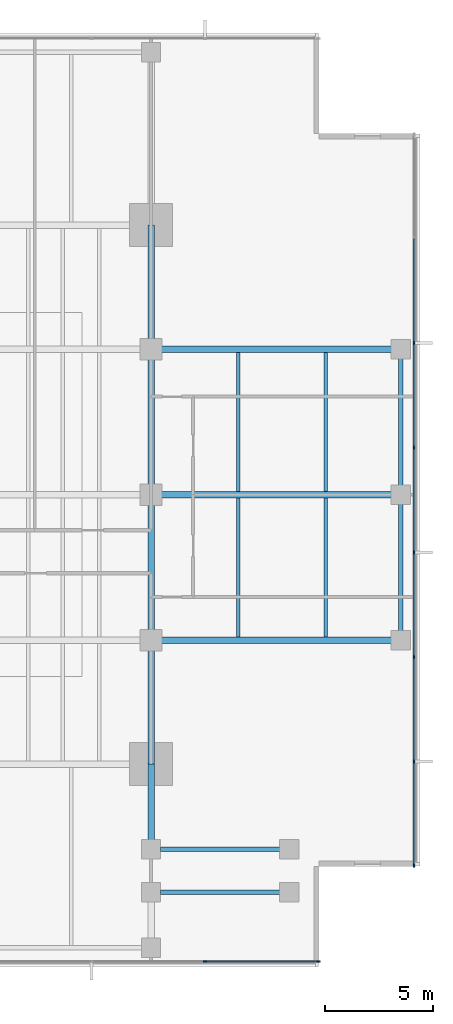
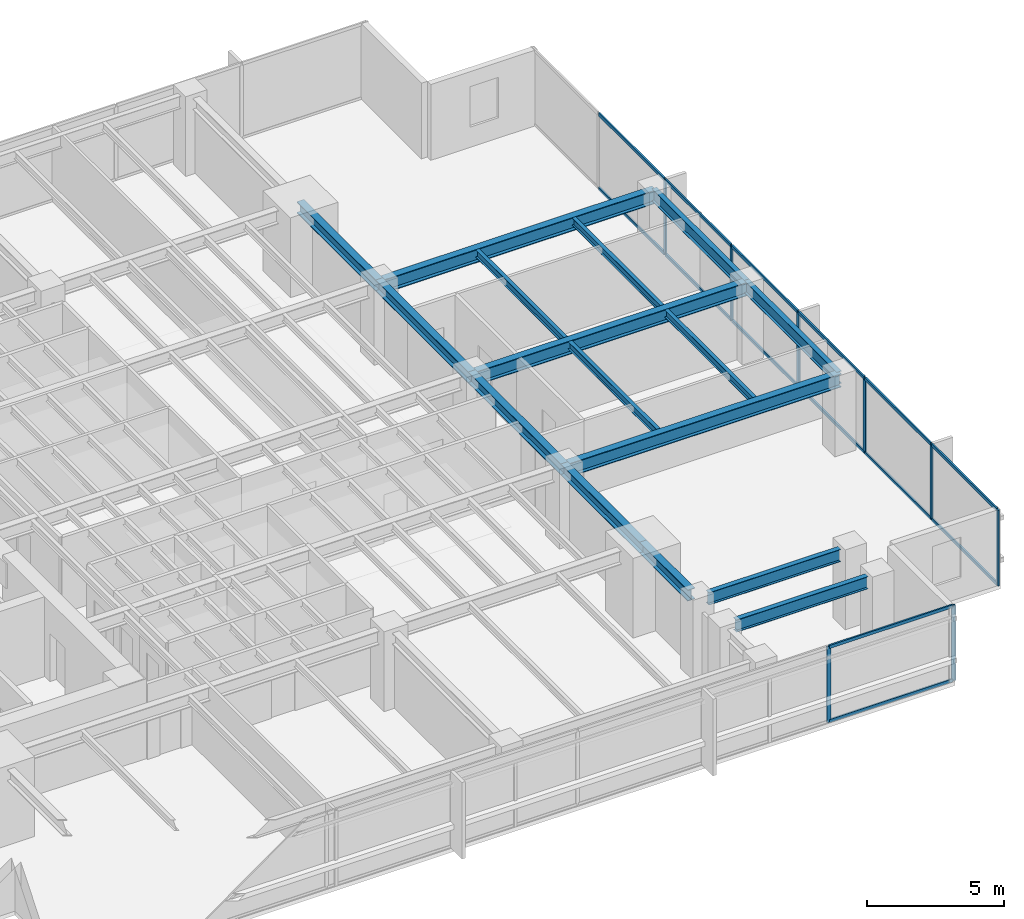
# One storey, part 4 of 14: 22 members, 16 beams, 2 elements without a shape of their own.
"""IFC4 building model written with IfcOpenShell, lengths in metres."""

from ifc_helpers import new_model, si_unit, direction, frame, origin, origin_2d, place, context, subcontext, project, spatial, rectangle, i_section, extrude, material, layer, layer_set, material_profile, profile_set, type_object, element, aggregate, save


model = new_model("IFC4")

# Units and contexts
model_context = context("Model", 3, precision=1e-05, world=origin(), true_north=direction((0.0, 1.0)))
body_context = subcontext(model_context, "Body", "Model", "MODEL_VIEW")
ifc_project = project(units=[si_unit("LENGTHUNIT", "METRE"), si_unit("AREAUNIT", "SQUARE_METRE"), si_unit("VOLUMEUNIT", "CUBIC_METRE"), si_unit("PLANEANGLEUNIT", "RADIAN"), si_unit("MASSUNIT", "GRAM", prefix="KILO")], contexts=[model_context])

# Site, building, storey
site_placement = place(None, origin())
site = spatial("IfcSite", under=ifc_project, at=site_placement, CompositionType="ELEMENT")
building_placement = place(site_placement, origin())
building = spatial("IfcBuilding", under=site, at=building_placement, Name="Kinhvarn Gate Tower", CompositionType="ELEMENT")
storey_placement = place(building_placement, frame((0.0, 0.0, 166.14990234375)))
storey = spatial("IfcBuildingStorey", under=building, at=storey_placement, Name="L44", CompositionType="ELEMENT", Elevation=166.14990234375)

# Curtain wall, members
ifc_material_1 = material(Name="Anodised aluminium AW-6063", Category="aluminium")
ifc_layer = layer(ifc_material_1, 0.179931640625)
ifc_layer_set = layer_set([ifc_layer], Name="Anodised aluminium AW-6063")
curtain_wall_type = type_object("IfcCurtainWallType", Name="CW-SYS-3", PredefinedType="NOTDEFINED", material=ifc_layer_set)
curtain_wall_1_placement = place(storey_placement, origin())
curtain_wall_1 = element("IfcCurtainWall", 1, at=curtain_wall_1_placement, inside=storey, type_object=curtain_wall_type, Name="Curtain Wall CW3 (L44)", PredefinedType="NOTDEFINED")
ifc_material_profile_1 = material_profile(ifc_material_1, rectangle(XDim=0.06494140625, YDim=0.159912109375, at=origin_2d()), Name="ALU 65x160")
ifc_profile_set_1 = profile_set([ifc_material_profile_1], Name="Anodised aluminium AW-6063")
member_type_1 = type_object("IfcMemberType", Name="CW-MUL-160", PredefinedType="MULLION", material=ifc_profile_set_1)
member_1_placement = place(storey_placement, frame((40.71435546875, 3.590087890625, 0.0), z_axis=(0.0, 0.0, 1.0), x_axis=(0.0, 1.0, 0.0)))
member_1 = element("IfcMember", 2, at=member_1_placement, type_object=member_type_1, Name="CW3 mullion 7", PredefinedType="MULLION", context=body_context, shape_type="SweptSolid", body=[
    extrude(rectangle(XDim=0.06494140625, YDim=0.159912109375, at=origin_2d()), origin(), (0.0, 0.0, 1.0), 3.3701171875),
])
member_2_placement = place(storey_placement, frame((45.967529296875, 3.590087890625, 0.0), z_axis=(0.0, 0.0, 1.0), x_axis=(0.0, 1.0, 0.0)))
member_2 = element("IfcMember", 3, at=member_2_placement, type_object=member_type_1, Name="CW3 mullion 8", PredefinedType="MULLION", context=body_context, shape_type="SweptSolid", body=[
    extrude(rectangle(XDim=0.06494140625, YDim=0.159912109375, at=origin_2d()), origin(), (0.0, 0.0, 1.0), 3.3701171875),
])

curtain_wall_2_placement = place(storey_placement, origin())
curtain_wall_2 = element("IfcCurtainWall", 4, at=curtain_wall_2_placement, inside=storey, type_object=curtain_wall_type, Name="Curtain Wall CW3 (L44)", PredefinedType="NOTDEFINED")
member_3_placement = place(storey_placement, frame((50.409912109375, 8.032470703125, 0.0), z_axis=(0.0, 0.0, 1.0), x_axis=(-1.0, 0.0, 0.0)))
member_3 = element("IfcMember", 5, at=member_3_placement, type_object=member_type_1, Name="CW3 mullion 1", PredefinedType="MULLION", context=body_context, shape_type="SweptSolid", body=[
    extrude(rectangle(XDim=0.06494140625, YDim=0.159912109375, at=origin_2d()), origin(), (0.0, 0.0, 1.0), 3.3701171875),
])
member_4_placement = place(storey_placement, frame((50.409912109375, 12.857177734375, 0.0), z_axis=(0.0, 0.0, 1.0), x_axis=(-1.0, 0.0, 0.0)))
member_4 = element("IfcMember", 6, at=member_4_placement, type_object=member_type_1, Name="CW3 mullion 2", PredefinedType="MULLION", context=body_context, shape_type="SweptSolid", body=[
    extrude(rectangle(XDim=0.06494140625, YDim=0.159912109375, at=origin_2d()), origin(), (0.0, 0.0, 1.0), 3.3701171875),
])
member_5_placement = place(storey_placement, frame((50.409912109375, 17.71435546875, 0.0), z_axis=(0.0, 0.0, 1.0), x_axis=(-1.0, 0.0, 0.0)))
member_5 = element("IfcMember", 7, at=member_5_placement, type_object=member_type_1, Name="CW3 mullion 3", PredefinedType="MULLION", context=body_context, shape_type="SweptSolid", body=[
    extrude(rectangle(XDim=0.06494140625, YDim=0.159912109375, at=origin_2d()), origin(), (0.0, 0.0, 1.0), 3.3701171875),
])
member_6_placement = place(storey_placement, frame((50.409912109375, 22.571533203125, 0.0), z_axis=(0.0, 0.0, 1.0), x_axis=(-1.0, 0.0, 0.0)))
member_6 = element("IfcMember", 8, at=member_6_placement, type_object=member_type_1, Name="CW3 mullion 4", PredefinedType="MULLION", context=body_context, shape_type="SweptSolid", body=[
    extrude(rectangle(XDim=0.06494140625, YDim=0.159912109375, at=origin_2d()), origin(), (0.0, 0.0, 1.0), 3.3701171875),
])
member_7_placement = place(storey_placement, frame((50.409912109375, 27.428466796875, 0.0), z_axis=(0.0, 0.0, 1.0), x_axis=(-1.0, 0.0, 0.0)))
member_7 = element("IfcMember", 9, at=member_7_placement, type_object=member_type_1, Name="CW3 mullion 5", PredefinedType="MULLION", context=body_context, shape_type="SweptSolid", body=[
    extrude(rectangle(XDim=0.06494140625, YDim=0.159912109375, at=origin_2d()), origin(), (0.0, 0.0, 1.0), 3.3701171875),
])
member_8_placement = place(storey_placement, frame((50.409912109375, 32.28564453125, 0.0), z_axis=(0.0, 0.0, 1.0), x_axis=(-1.0, 0.0, 0.0)))
member_8 = element("IfcMember", 10, at=member_8_placement, type_object=member_type_1, Name="CW3 mullion 6", PredefinedType="MULLION", context=body_context, shape_type="SweptSolid", body=[
    extrude(rectangle(XDim=0.06494140625, YDim=0.159912109375, at=origin_2d()), origin(), (0.0, 0.0, 1.0), 3.3701171875),
])

# Member
ifc_material_profile_2 = material_profile(ifc_material_1, rectangle(XDim=0.070068359375, YDim=0.139892578125, at=origin_2d()), Name="ALU 70x140")
ifc_profile_set_2 = profile_set([ifc_material_profile_2], Name="Anodised aluminium AW-6063")
member_type_2 = type_object("IfcMemberType", Name="CW-TRN-140", PredefinedType="USERDEFINED", material=ifc_profile_set_2)
member_9_placement = place(storey_placement, frame((40.746826171875, 3.590087890625, 0.03515625), z_axis=(1.0, 0.0, 0.0), x_axis=(0.0, 1.0, 0.0)))
member_9 = element("IfcMember", 11, at=member_9_placement, type_object=member_type_2, Name="CW3 transom 7.1", ObjectType="TRANSOM", PredefinedType="USERDEFINED", context=body_context, shape_type="SweptSolid", body=[
    extrude(rectangle(XDim=0.070068359375, YDim=0.139892578125, at=origin_2d()), origin(), (0.0, 0.0, 1.0), 5.188232421875),
])

member_10_placement = place(storey_placement, frame((40.746826171875, 3.590087890625, 3.335205078125), z_axis=(1.0, 0.0, 0.0), x_axis=(0.0, 1.0, 0.0)))
member_10 = element("IfcMember", 12, at=member_10_placement, type_object=member_type_2, Name="CW3 transom 7.2", ObjectType="TRANSOM", PredefinedType="USERDEFINED", context=body_context, shape_type="SweptSolid", body=[
    extrude(rectangle(XDim=0.070068359375, YDim=0.139892578125, at=origin_2d()), origin(), (0.0, 0.0, 1.0), 5.188232421875),
])

aggregate(curtain_wall_1, [member_1, member_2, member_9, member_10])

member_11_placement = place(storey_placement, frame((50.409912109375, 8.06494140625, 0.03515625), z_axis=(0.0, 1.0, 0.0), x_axis=(-1.0, 0.0, 0.0)))
member_11 = element("IfcMember", 13, at=member_11_placement, type_object=member_type_2, Name="CW3 transom 1.1", ObjectType="TRANSOM", PredefinedType="USERDEFINED", context=body_context, shape_type="SweptSolid", body=[
    extrude(rectangle(XDim=0.070068359375, YDim=0.139892578125, at=origin_2d()), origin(), (0.0, 0.0, 1.0), 4.759765625),
])

member_12_placement = place(storey_placement, frame((50.409912109375, 8.06494140625, 3.335205078125), z_axis=(0.0, 1.0, 0.0), x_axis=(-1.0, 0.0, 0.0)))
member_12 = element("IfcMember", 14, at=member_12_placement, type_object=member_type_2, Name="CW3 transom 1.2", ObjectType="TRANSOM", PredefinedType="USERDEFINED", context=body_context, shape_type="SweptSolid", body=[
    extrude(rectangle(XDim=0.070068359375, YDim=0.139892578125, at=origin_2d()), origin(), (0.0, 0.0, 1.0), 4.759765625),
])

member_13_placement = place(storey_placement, frame((50.409912109375, 12.8896484375, 0.03515625), z_axis=(0.0, 1.0, 0.0), x_axis=(-1.0, 0.0, 0.0)))
member_13 = element("IfcMember", 15, at=member_13_placement, type_object=member_type_2, Name="CW3 transom 2.1", ObjectType="TRANSOM", PredefinedType="USERDEFINED", context=body_context, shape_type="SweptSolid", body=[
    extrude(rectangle(XDim=0.070068359375, YDim=0.139892578125, at=origin_2d()), origin(), (0.0, 0.0, 1.0), 4.792236328125),
])

member_14_placement = place(storey_placement, frame((50.409912109375, 12.8896484375, 3.335205078125), z_axis=(0.0, 1.0, 0.0), x_axis=(-1.0, 0.0, 0.0)))
member_14 = element("IfcMember", 16, at=member_14_placement, type_object=member_type_2, Name="CW3 transom 2.2", ObjectType="TRANSOM", PredefinedType="USERDEFINED", context=body_context, shape_type="SweptSolid", body=[
    extrude(rectangle(XDim=0.070068359375, YDim=0.139892578125, at=origin_2d()), origin(), (0.0, 0.0, 1.0), 4.792236328125),
])

member_15_placement = place(storey_placement, frame((50.409912109375, 17.746826171875, 0.03515625), z_axis=(0.0, 1.0, 0.0), x_axis=(-1.0, 0.0, 0.0)))
member_15 = element("IfcMember", 17, at=member_15_placement, type_object=member_type_2, Name="CW3 transom 3.1", ObjectType="TRANSOM", PredefinedType="USERDEFINED", context=body_context, shape_type="SweptSolid", body=[
    extrude(rectangle(XDim=0.070068359375, YDim=0.139892578125, at=origin_2d()), origin(), (0.0, 0.0, 1.0), 4.7919921875),
])

member_16_placement = place(storey_placement, frame((50.409912109375, 17.746826171875, 3.335205078125), z_axis=(0.0, 1.0, 0.0), x_axis=(-1.0, 0.0, 0.0)))
member_16 = element("IfcMember", 18, at=member_16_placement, type_object=member_type_2, Name="CW3 transom 3.2", ObjectType="TRANSOM", PredefinedType="USERDEFINED", context=body_context, shape_type="SweptSolid", body=[
    extrude(rectangle(XDim=0.070068359375, YDim=0.139892578125, at=origin_2d()), origin(), (0.0, 0.0, 1.0), 4.7919921875),
])

member_17_placement = place(storey_placement, frame((50.409912109375, 22.60400390625, 0.03515625), z_axis=(0.0, 1.0, 0.0), x_axis=(-1.0, 0.0, 0.0)))
member_17 = element("IfcMember", 19, at=member_17_placement, type_object=member_type_2, Name="CW3 transom 4.1", ObjectType="TRANSOM", PredefinedType="USERDEFINED", context=body_context, shape_type="SweptSolid", body=[
    extrude(rectangle(XDim=0.070068359375, YDim=0.139892578125, at=origin_2d()), origin(), (0.0, 0.0, 1.0), 4.7919921875),
])

member_18_placement = place(storey_placement, frame((50.409912109375, 22.60400390625, 3.335205078125), z_axis=(0.0, 1.0, 0.0), x_axis=(-1.0, 0.0, 0.0)))
member_18 = element("IfcMember", 20, at=member_18_placement, type_object=member_type_2, Name="CW3 transom 4.2", ObjectType="TRANSOM", PredefinedType="USERDEFINED", context=body_context, shape_type="SweptSolid", body=[
    extrude(rectangle(XDim=0.070068359375, YDim=0.139892578125, at=origin_2d()), origin(), (0.0, 0.0, 1.0), 4.7919921875),
])

member_19_placement = place(storey_placement, frame((50.409912109375, 27.461181640625, 0.03515625), z_axis=(0.0, 1.0, 0.0), x_axis=(-1.0, 0.0, 0.0)))
member_19 = element("IfcMember", 21, at=member_19_placement, type_object=member_type_2, Name="CW3 transom 5.1", ObjectType="TRANSOM", PredefinedType="USERDEFINED", context=body_context, shape_type="SweptSolid", body=[
    extrude(rectangle(XDim=0.070068359375, YDim=0.139892578125, at=origin_2d()), origin(), (0.0, 0.0, 1.0), 4.7919921875),
])

member_20_placement = place(storey_placement, frame((50.409912109375, 27.461181640625, 3.335205078125), z_axis=(0.0, 1.0, 0.0), x_axis=(-1.0, 0.0, 0.0)))
member_20 = element("IfcMember", 22, at=member_20_placement, type_object=member_type_2, Name="CW3 transom 5.2", ObjectType="TRANSOM", PredefinedType="USERDEFINED", context=body_context, shape_type="SweptSolid", body=[
    extrude(rectangle(XDim=0.070068359375, YDim=0.139892578125, at=origin_2d()), origin(), (0.0, 0.0, 1.0), 4.7919921875),
])

member_21_placement = place(storey_placement, frame((50.409912109375, 32.318115234375, 0.03515625), z_axis=(0.0, 1.0, 0.0), x_axis=(-1.0, 0.0, 0.0)))
member_21 = element("IfcMember", 23, at=member_21_placement, type_object=member_type_2, Name="CW3 transom 6.1", ObjectType="TRANSOM", PredefinedType="USERDEFINED", context=body_context, shape_type="SweptSolid", body=[
    extrude(rectangle(XDim=0.070068359375, YDim=0.139892578125, at=origin_2d()), origin(), (0.0, 0.0, 1.0), 4.792236328125),
])

member_22_placement = place(storey_placement, frame((50.409912109375, 32.318115234375, 3.335205078125), z_axis=(0.0, 1.0, 0.0), x_axis=(-1.0, 0.0, 0.0)))
member_22 = element("IfcMember", 24, at=member_22_placement, type_object=member_type_2, Name="CW3 transom 6.2", ObjectType="TRANSOM", PredefinedType="USERDEFINED", context=body_context, shape_type="SweptSolid", body=[
    extrude(rectangle(XDim=0.070068359375, YDim=0.139892578125, at=origin_2d()), origin(), (0.0, 0.0, 1.0), 4.792236328125),
])

aggregate(curtain_wall_2, [member_3, member_4, member_5, member_6, member_7, member_8, member_11, member_12, member_13, member_14, member_15, member_16, member_17, member_18, member_19, member_20, member_21, member_22])

# Beams
ifc_material_2 = material(Name="Steel S355", Category="steel")
ifc_material_profile_3 = material_profile(ifc_material_2, i_section(OverallWidth=0.300048828125, OverallDepth=0.5, WebThickness=0.014404296875, FlangeThickness=0.028076171875, at=origin_2d()), Name="HEB 500")
ifc_profile_set_3 = profile_set([ifc_material_profile_3], Name="Steel S355")
beam_type_1 = type_object("IfcBeamType", Name="STL-HEB500", PredefinedType="BEAM", material=ifc_profile_set_3)
beam_1_placement = place(storey_placement, frame((38.199951171875, 9.235107421875, 3.1201171875), z_axis=(0.0, 1.0, 0.0), x_axis=(-1.0, 0.0, 0.0)))
element("IfcBeam", 25, at=beam_1_placement, inside=storey, type_object=beam_type_1, Name="Floor Beam PG-14 (L44 MCE-S-A2)", PredefinedType="BEAM", context=body_context, shape_type="SweptSolid", body=[
    extrude(i_section(OverallWidth=0.300048828125, OverallDepth=0.5, WebThickness=0.014404296875, FlangeThickness=0.028076171875, at=origin_2d()), origin(), (0.0, 0.0, 1.0), 3.514892578125),
])
beam_2_placement = place(storey_placement, frame((38.199951171875, 12.75, 3.1201171875), z_axis=(0.0, 1.0, 0.0), x_axis=(-1.0, 0.0, 0.0)))
element("IfcBeam", 26, at=beam_2_placement, inside=storey, type_object=beam_type_1, Name="Floor Beam PG-14 (L44 MG-E-12)", PredefinedType="BEAM", context=body_context, shape_type="SweptSolid", body=[
    extrude(i_section(OverallWidth=0.300048828125, OverallDepth=0.5, WebThickness=0.014404296875, FlangeThickness=0.028076171875, at=origin_2d()), origin(), (0.0, 0.0, 1.0), 5.75),
])
for number, where, z_axis, x_axis, name in (
    (27, (38.199951171875, 18.5, 3.1201171875), (0.0, 1.0, 0.0), (-1.0, 0.0, 0.0), "Floor Beam PG-14 (L44 MG-E-18)"),
    (28, (38.199951171875, 25.25, 3.1201171875), (0.0, 1.0, 0.0), (-1.0, 0.0, 0.0), "Floor Beam PG-14 (L44 MG-E-25)"),
):
    element("IfcBeam", number, at=place(storey_placement, frame(where, z_axis=z_axis, x_axis=x_axis)), inside=storey, type_object=beam_type_1, Name=name, PredefinedType="BEAM", context=body_context, shape_type="SweptSolid", body=[
        extrude(i_section(OverallWidth=0.300048828125, OverallDepth=0.5, WebThickness=0.014404296875, FlangeThickness=0.028076171875, at=origin_2d()), origin(), (0.0, 0.0, 1.0), 6.75),
    ])
beam_3_placement = place(storey_placement, frame((38.199951171875, 32.0, 3.1201171875), z_axis=(0.0, 1.0, 0.0), x_axis=(-1.0, 0.0, 0.0)))
element("IfcBeam", 29, at=beam_3_placement, inside=storey, type_object=beam_type_1, Name="Floor Beam PG-14 (L44 MG-E-32)", PredefinedType="BEAM", context=body_context, shape_type="SweptSolid", body=[
    extrude(i_section(OverallWidth=0.300048828125, OverallDepth=0.5, WebThickness=0.014404296875, FlangeThickness=0.028076171875, at=origin_2d()), origin(), (0.0, 0.0, 1.0), 5.75),
])
ifc_material_profile_4 = material_profile(ifc_material_2, i_section(OverallWidth=0.300048828125, OverallDepth=0.60009765625, WebThickness=0.015380859375, FlangeThickness=0.030029296875, at=origin_2d()), Name="HEB 600")
ifc_profile_set_4 = profile_set([ifc_material_profile_4], Name="Steel S355")
beam_type_2 = type_object("IfcBeamType", Name="STL-HEB600", PredefinedType="BEAM", material=ifc_profile_set_4)
for number, where, z_axis, x_axis, name in (
    (30, (38.199951171875, 18.5, 3.070068359375), (1.0, 0.0, 0.0), (0.0, 1.0, 0.0), "Floor Beam PG-16 (L44 EW2-Y18)"),
    (31, (38.199951171875, 25.25, 3.070068359375), (1.0, 0.0, 0.0), (0.0, 1.0, 0.0), "Floor Beam PG-16 (L44 EW2-Y25)"),
    (32, (38.199951171875, 32.0, 3.070068359375), (1.0, 0.0, 0.0), (0.0, 1.0, 0.0), "Floor Beam PG-16 (L44 EW2-Y32)"),
):
    element("IfcBeam", number, at=place(storey_placement, frame(where, z_axis=z_axis, x_axis=x_axis)), inside=storey, type_object=beam_type_2, Name=name, PredefinedType="BEAM", context=body_context, shape_type="SweptSolid", body=[
        extrude(i_section(OverallWidth=0.300048828125, OverallDepth=0.60009765625, WebThickness=0.015380859375, FlangeThickness=0.030029296875, at=origin_2d()), origin(), (0.0, 0.0, 1.0), 11.580078125),
    ])
ifc_material_profile_5 = material_profile(ifc_material_2, i_section(OverallWidth=0.159912109375, OverallDepth=0.330078125, WebThickness=0.007568359375, FlangeThickness=0.011474609375, at=origin_2d()), Name="IPE 330")
ifc_profile_set_5 = profile_set([ifc_material_profile_5], Name="Steel S355")
beam_type_3 = type_object("IfcBeamType", Name="STL-IPE330", PredefinedType="JOIST", material=ifc_profile_set_5)
for number, where, z_axis, x_axis, name in (
    (33, (42.25, 18.64990234375, 3.205078125), (0.0, 1.0, 0.0), (-1.0, 0.0, 0.0), "Floor Joist SB-03 (L44 JC-X422-1)"),
    (34, (42.25, 25.39990234375, 3.205078125), (0.0, 1.0, 0.0), (-1.0, 0.0, 0.0), "Floor Joist SB-03 (L44 JC-X422-2)"),
    (35, (46.31005859375, 18.64990234375, 3.205078125), (0.0, 1.0, 0.0), (-1.0, 0.0, 0.0), "Floor Joist SB-03 (L44 JC-X463-1)"),
    (36, (46.31005859375, 25.39990234375, 3.205078125), (0.0, 1.0, 0.0), (-1.0, 0.0, 0.0), "Floor Joist SB-03 (L44 JC-X463-2)"),
):
    element("IfcBeam", number, at=place(storey_placement, frame(where, z_axis=z_axis, x_axis=x_axis)), inside=storey, type_object=beam_type_3, Name=name, PredefinedType="JOIST", context=body_context, shape_type="SweptSolid", body=[
        extrude(i_section(OverallWidth=0.159912109375, OverallDepth=0.330078125, WebThickness=0.007568359375, FlangeThickness=0.011474609375, at=origin_2d()), origin(), (0.0, 0.0, 1.0), 6.4501953125),
    ])
ifc_material_profile_6 = material_profile(ifc_material_2, i_section(OverallWidth=0.2099609375, OverallDepth=0.550048828125, WebThickness=0.010986328125, FlangeThickness=0.01708984375, at=origin_2d()), Name="IPE 550")
ifc_profile_set_6 = profile_set([ifc_material_profile_6], Name="Steel S355")
beam_type_4 = type_object("IfcBeamType", Name="STL-IPE550", PredefinedType="SPANDREL", material=ifc_profile_set_6)
for number, where, z_axis, x_axis, name in (
    (37, (38.635009765625, 8.800048828125, 3.09521484375), (1.0, 0.0, 0.0), (0.0, 1.0, 0.0), "Floor Spandrel SB-08 (L44 SP-SE2)"),
    (38, (38.635009765625, 6.800048828125, 3.09521484375), (1.0, 0.0, 0.0), (0.0, 1.0, 0.0), "Floor Spandrel SB-08 (L44 SP-SE2-S)"),
):
    element("IfcBeam", number, at=place(storey_placement, frame(where, z_axis=z_axis, x_axis=x_axis)), inside=storey, type_object=beam_type_4, Name=name, PredefinedType="SPANDREL", context=body_context, shape_type="SweptSolid", body=[
        extrude(i_section(OverallWidth=0.2099609375, OverallDepth=0.550048828125, WebThickness=0.010986328125, FlangeThickness=0.01708984375, at=origin_2d()), origin(), (0.0, 0.0, 1.0), 5.550048828125),
    ])
for number, where, z_axis, x_axis, name in (
    (39, (49.780029296875, 18.5, 3.09521484375), (0.0, 1.0, 0.0), (-1.0, 0.0, 0.0), "Floor Spandrel SB-08 (L44 SP-E2)"),
    (40, (49.780029296875, 25.25, 3.09521484375), (0.0, 1.0, 0.0), (-1.0, 0.0, 0.0), "Floor Spandrel SB-08 (L44 SP-E3)"),
):
    element("IfcBeam", number, at=place(storey_placement, frame(where, z_axis=z_axis, x_axis=x_axis)), inside=storey, type_object=beam_type_4, Name=name, PredefinedType="SPANDREL", context=body_context, shape_type="SweptSolid", body=[
        extrude(i_section(OverallWidth=0.2099609375, OverallDepth=0.550048828125, WebThickness=0.010986328125, FlangeThickness=0.01708984375, at=origin_2d()), origin(), (0.0, 0.0, 1.0), 6.75),
    ])

save(model, "model.ifc")
